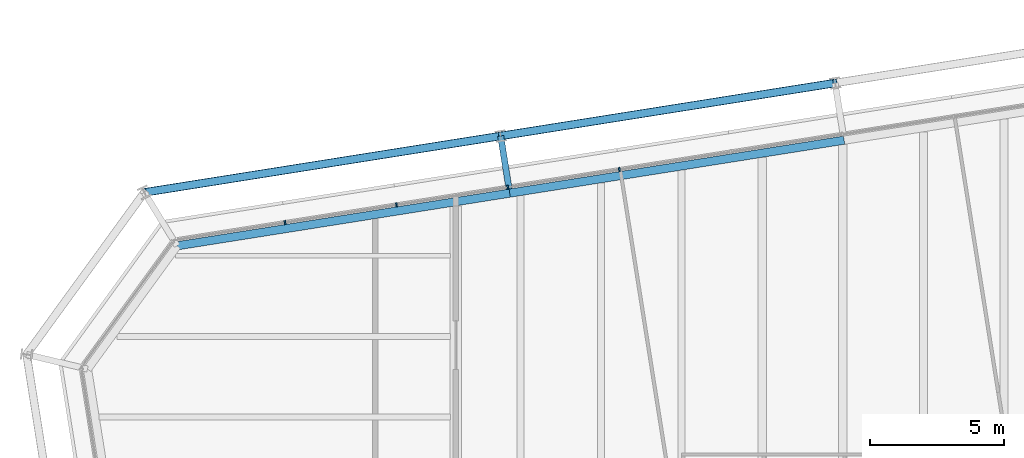
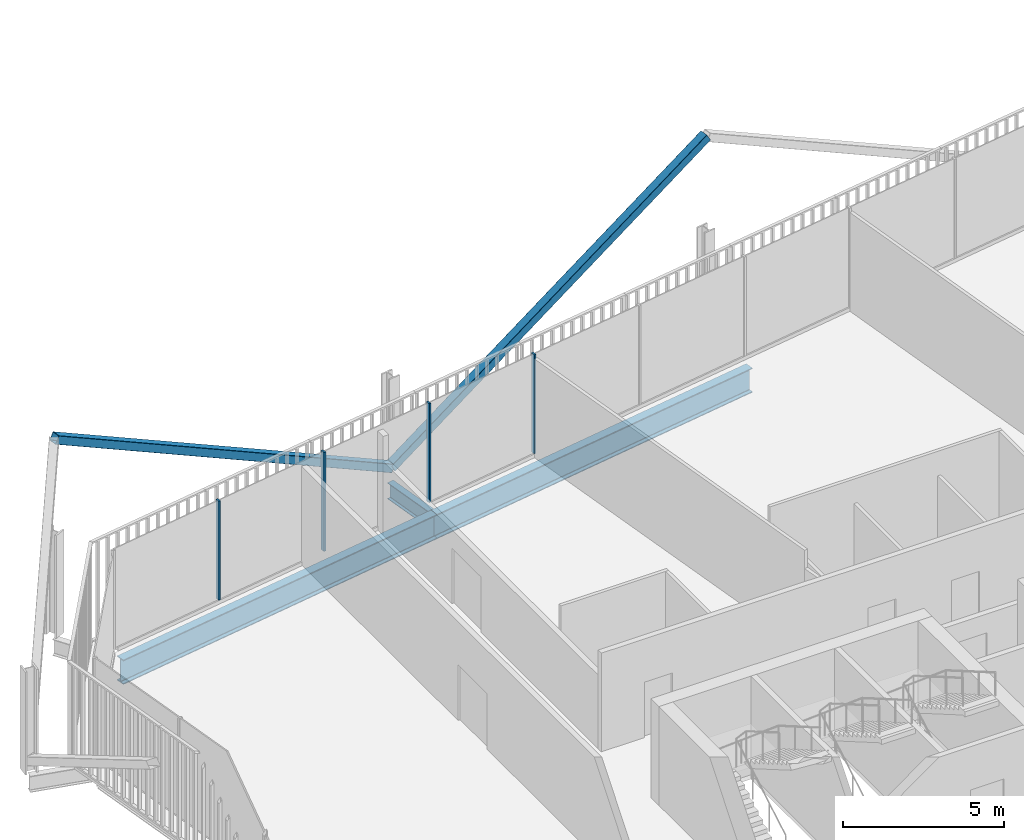
# One storey, part 13 of 21: 6 members, 3 beams, 1 element without a shape of its own.
"""IFC4 building model written with IfcOpenShell, lengths in metres."""

from ifc_helpers import new_model, si_unit, direction, frame, origin, origin_2d, place, context, subcontext, project, spatial, rectangle, hollow_rectangle, i_section, extrude, material, layer, layer_set, material_profile, profile_set, type_object, element, aggregate, save


model = new_model("IFC4")

# Units and contexts
model_context = context("Model", 3, precision=1e-05, world=origin(), true_north=direction((0.0, 1.0)))
body_context = subcontext(model_context, "Body", "Model", "MODEL_VIEW")
ifc_project = project(units=[si_unit("LENGTHUNIT", "METRE"), si_unit("AREAUNIT", "SQUARE_METRE"), si_unit("VOLUMEUNIT", "CUBIC_METRE"), si_unit("PLANEANGLEUNIT", "RADIAN"), si_unit("MASSUNIT", "GRAM", prefix="KILO")], contexts=[model_context])

# Site, building, storey
site_placement = place(None, origin())
site = spatial("IfcSite", under=ifc_project, at=site_placement, CompositionType="ELEMENT")
building_placement = place(site_placement, origin())
building = spatial("IfcBuilding", under=site, at=building_placement, Name="Millrace Tower", CompositionType="ELEMENT")
storey_placement = place(building_placement, frame((0.0, 0.0, 212.5)))
storey = spatial("IfcBuildingStorey", under=building, at=storey_placement, Name="L48", CompositionType="ELEMENT", Elevation=212.5)

# Curtain wall, members
ifc_material_1 = material(Name="Aluminium and glass", Category="aluminium")
ifc_layer = layer(ifc_material_1, 0.14990234375)
ifc_layer_set = layer_set([ifc_layer], Name="Aluminium and glass")
curtain_wall_type = type_object("IfcCurtainWallType", Name="CW-1 office vision curtain wall", PredefinedType="NOTDEFINED", material=ifc_layer_set)
curtain_wall_placement = place(storey_placement, origin())
curtain_wall = element("IfcCurtainWall", 1, at=curtain_wall_placement, inside=storey, type_object=curtain_wall_type, Name="Curtain wall D-F06 L48", PredefinedType="NOTDEFINED")
ifc_material_2 = material(Name="Aluminium", Category="aluminium")
ifc_material_profile_1 = material_profile(ifc_material_2, rectangle(XDim=0.06494140625, YDim=0.14990234375, at=origin_2d()))
ifc_profile_set_1 = profile_set([ifc_material_profile_1], Name="Aluminium")
member_type_1 = type_object("IfcMemberType", Name="CW-1 office vision curtain wall mullion", PredefinedType="MULLION", material=ifc_profile_set_1)
member_1_placement = place(storey_placement, frame((-8.31591796875, 27.207275390625, 0.139892578125), z_axis=(0.0, 0.0, 1.0), x_axis=(-0.987688339511, -0.156434471884, 0.0)))
member_1 = element("IfcMember", 2, at=member_1_placement, type_object=member_type_1, Name="CW1 mullion D-F06.6", PredefinedType="MULLION", context=body_context, shape_type="SweptSolid", body=[
    extrude(rectangle(XDim=0.06494140625, YDim=0.14990234375, at=origin_2d()), origin(), (0.0, 0.0, 1.0), 3.760009765625),
])
member_2_placement = place(storey_placement, frame((-12.46435546875, 26.55029296875, 0.139892578125), z_axis=(0.0, 0.0, 1.0), x_axis=(-0.987688339511, -0.156434471884, 0.0)))
member_2 = element("IfcMember", 3, at=member_2_placement, type_object=member_type_1, Name="CW1 mullion D-F06.7", PredefinedType="MULLION", context=body_context, shape_type="SweptSolid", body=[
    extrude(rectangle(XDim=0.06494140625, YDim=0.14990234375, at=origin_2d()), origin(), (0.0, 0.0, 1.0), 3.760009765625),
])
member_3_placement = place(storey_placement, frame((-16.612548828125, 25.893310546875, 0.139892578125), z_axis=(0.0, 0.0, 1.0), x_axis=(-0.987688339511, -0.156434471884, 0.0)))
member_3 = element("IfcMember", 4, at=member_3_placement, type_object=member_type_1, Name="CW1 mullion D-F06.8", PredefinedType="MULLION", context=body_context, shape_type="SweptSolid", body=[
    extrude(rectangle(XDim=0.06494140625, YDim=0.14990234375, at=origin_2d()), origin(), (0.0, 0.0, 1.0), 3.760009765625),
])
member_4_placement = place(storey_placement, frame((-20.7607421875, 25.236328125, 0.139892578125), z_axis=(0.0, 0.0, 1.0), x_axis=(-0.987688339511, -0.156434471884, 0.0)))
member_4 = element("IfcMember", 5, at=member_4_placement, type_object=member_type_1, Name="CW1 mullion D-F06.9", PredefinedType="MULLION", context=body_context, shape_type="SweptSolid", body=[
    extrude(rectangle(XDim=0.06494140625, YDim=0.14990234375, at=origin_2d()), origin(), (0.0, 0.0, 1.0), 3.760009765625),
])
aggregate(curtain_wall, [member_1, member_2, member_3, member_4])

# Members
ifc_material_3 = material(Name="Steel ASTM A500 Grade C", Category="steel")
ifc_material_profile_2 = material_profile(ifc_material_3, hollow_rectangle(XDim=0.3046875, YDim=0.3046875, WallThickness=0.0126953125, InnerFilletRadius=0.00634765625, OuterFilletRadius=0.01904296875, at=origin_2d()))
ifc_profile_set_2 = profile_set([ifc_material_profile_2], Name="Steel ASTM A500 Grade C")
member_type_2 = type_object("IfcMemberType", Name="Exoskeleton brace HSS12x12x1/2", PredefinedType="BRACE", material=ifc_profile_set_2)
member_5_placement = place(storey_placement, frame((-12.7333984375, 28.456787109375, 0.39990234375), z_axis=(0.86339943803, 0.136738080691, 0.485637835943), x_axis=(-0.156422238477, 0.987690277015, 0.0)))
element("IfcMember", 6, at=member_5_placement, inside=storey, type_object=member_type_2, Name="BRC-D-L48-11", PredefinedType="BRACE", context=body_context, shape_type="SweptSolid", body=[
    extrude(hollow_rectangle(XDim=0.3046875, YDim=0.3046875, WallThickness=0.0126953125, InnerFilletRadius=0.00634765625, OuterFilletRadius=0.01904296875, at=origin_2d()), origin(), (0.0, 0.0, 1.0), 14.4140625),
])
member_6_placement = place(storey_placement, frame((-12.7333984375, 28.456787109375, 0.39990234375), z_axis=(-0.875829804371, -0.138730151249, 0.462251121048), x_axis=(0.156448038127, -0.987686190734, 0.0)))
element("IfcMember", 7, at=member_6_placement, inside=storey, type_object=member_type_2, Name="BRC-D-L48-12", PredefinedType="BRACE", context=body_context, shape_type="SweptSolid", body=[
    extrude(hollow_rectangle(XDim=0.3046875, YDim=0.3046875, WallThickness=0.0126953125, InnerFilletRadius=0.00634765625, OuterFilletRadius=0.01904296875, at=origin_2d()), origin(), (0.0, 0.0, 1.0), 15.143310546875),
])

# Beams
ifc_material_4 = material(Name="Steel ASTM A992 Grade 50", Category="steel")
ifc_material_profile_3 = material_profile(ifc_material_4, i_section(OverallWidth=0.23046875, OverallDepth=0.6171875, WebThickness=0.01318359375, FlangeThickness=0.022216796875, FilletRadius=0.012939453125, at=origin_2d()))
ifc_profile_set_3 = profile_set([ifc_material_profile_3], Name="Steel ASTM A992 Grade 50")
beam_type_1 = type_object("IfcBeamType", Name="Link beam W24x94", PredefinedType="BEAM", material=ifc_profile_set_3)
beam_1_placement = place(storey_placement, frame((-12.42041015625, 26.481201171875, -0.468505859375), z_axis=(-0.156476509441, 0.987681680499, 0.0), x_axis=(-0.987681680499, -0.156476509441, 0.0)))
element("IfcBeam", 8, at=beam_1_placement, inside=storey, type_object=beam_type_1, Name="LNK-D-L48-S1-06", PredefinedType="BEAM", context=body_context, shape_type="SweptSolid", body=[
    extrude(i_section(OverallWidth=0.23046875, OverallDepth=0.6171875, WebThickness=0.01318359375, FlangeThickness=0.022216796875, FilletRadius=0.012939453125, at=origin_2d()), origin(), (0.0, 0.0, 1.0), 2.000244140625),
])
ifc_material_5 = material(Name="Steel ASTM A992 Grade 50", Category="steel")
ifc_material_profile_4 = material_profile(ifc_material_5, i_section(OverallWidth=0.307373046875, OverallDepth=0.927001953125, WebThickness=0.01953125, FlangeThickness=0.031982421875, FilletRadius=0.01904296875, at=origin_2d()))
ifc_profile_set_4 = profile_set([ifc_material_profile_4], Name="Steel ASTM A992 Grade 50")
beam_type_2 = type_object("IfcBeamType", Name="Ring beam medium span W36x194", PredefinedType="SPANDREL", material=ifc_profile_set_4)
beam_2_placement = place(storey_placement, frame((-24.7783203125, 24.368408203125, -0.62353515625), z_axis=(0.987687213011, 0.156441584157, 0.0), x_axis=(-0.156441584157, 0.987687213011, 0.0)))
element("IfcBeam", 9, at=beam_2_placement, inside=storey, type_object=beam_type_2, Name="RNG-D-L48-S1-05", PredefinedType="SPANDREL", context=body_context, shape_type="SweptSolid", body=[
    extrude(i_section(OverallWidth=0.307373046875, OverallDepth=0.927001953125, WebThickness=0.01953125, FlangeThickness=0.031982421875, FilletRadius=0.01904296875, at=origin_2d()), origin(), (0.0, 0.0, 1.0), 12.5361328125),
])
beam_3_placement = place(storey_placement, frame((-12.396484375, 26.32958984375, -0.62353515625), z_axis=(0.987690277015, 0.156422238477, 0.0), x_axis=(-0.156422238477, 0.987690277015, 0.0)))
element("IfcBeam", 10, at=beam_3_placement, inside=storey, type_object=beam_type_2, Name="RNG-D-L48-S1-06", PredefinedType="SPANDREL", context=body_context, shape_type="SweptSolid", body=[
    extrude(i_section(OverallWidth=0.307373046875, OverallDepth=0.927001953125, WebThickness=0.01953125, FlangeThickness=0.031982421875, FilletRadius=0.01904296875, at=origin_2d()), origin(), (0.0, 0.0, 1.0), 12.60009765625),
])

save(model, "model.ifc")
